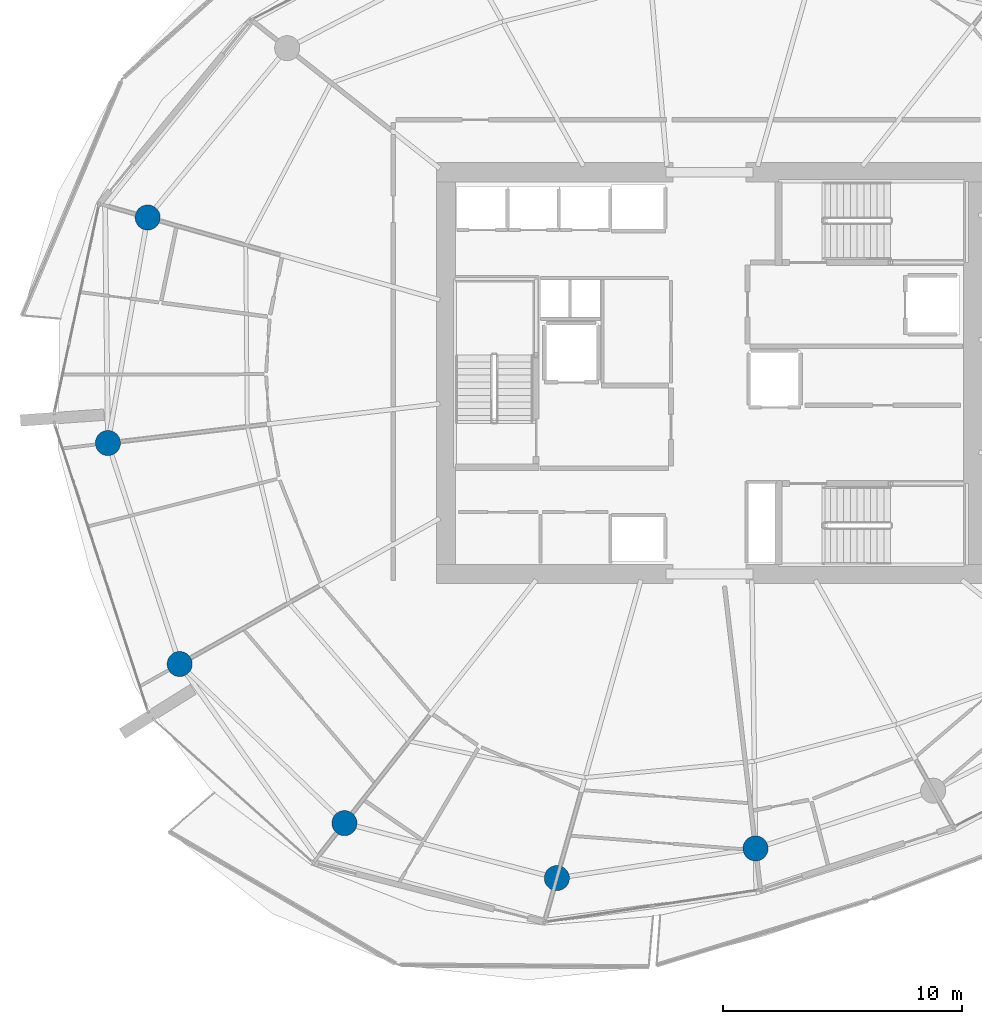
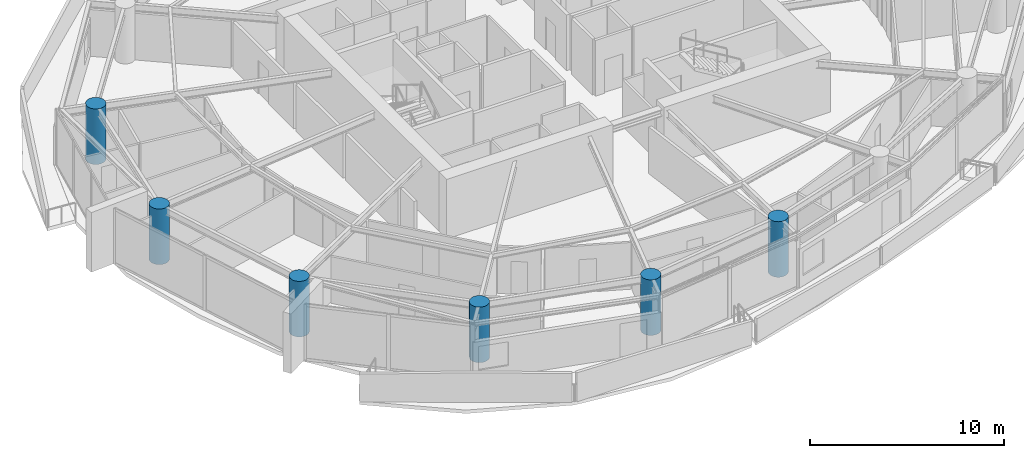
# One storey, part 1 of 20: 6 columns.
"""IFC4 building model written with IfcOpenShell, lengths in metres."""

from ifc_helpers import new_model, si_unit, direction, frame, origin, origin_2d, place, context, subcontext, project, spatial, circle, extrude, material, material_profile, profile_set, type_object, element, save


model = new_model("IFC4")

# Units and contexts
model_context = context("Model", 3, precision=1e-05, world=origin(), true_north=direction((0.0, 1.0)))
body_context = subcontext(model_context, "Body", "Model", "MODEL_VIEW")
ifc_project = project(units=[si_unit("LENGTHUNIT", "METRE"), si_unit("AREAUNIT", "SQUARE_METRE"), si_unit("VOLUMEUNIT", "CUBIC_METRE"), si_unit("PLANEANGLEUNIT", "RADIAN"), si_unit("MASSUNIT", "GRAM", prefix="KILO")], contexts=[model_context])

# Site, building, storey
site_placement = place(None, origin())
site = spatial("IfcSite", under=ifc_project, at=site_placement, CompositionType="ELEMENT")
building_placement = place(site_placement, origin())
building = spatial("IfcBuilding", under=site, at=building_placement, Name="Kazma Halo Residences", CompositionType="ELEMENT")
storey_placement = place(building_placement, frame((0.0, 0.0, 150.300048828125)))
storey = spatial("IfcBuildingStorey", under=building, at=storey_placement, Name="L37", CompositionType="ELEMENT", Elevation=150.300048828125)

# Columns
ifc_material = material(Name="Concrete C80/95", Category="concrete")
ifc_material_profile = material_profile(ifc_material, circle(Radius=0.52490234375, at=origin_2d()), Name="CIRC1050")
ifc_profile_set = profile_set([ifc_material_profile], Name="Concrete C80/95")
column_type = type_object("IfcColumnType", Name="COL-PERIM-1050", PredefinedType="COLUMN", material=ifc_profile_set)
for number, where, z_axis, x_axis, name in (
    (1, (24.93017578125, 48.50634765625, 0.0), (0.0, 0.0, 1.0), (1.0, 0.0, 0.0), "L37 perimeter ring column P07"),
    (2, (23.266845703125, 39.072509765625, 0.0), (0.0, 0.0, 1.0), (1.0, 0.0, 0.0), "L37 perimeter ring column P08"),
    (3, (26.269775390625, 29.83056640625, 0.0), (0.0, 0.0, 1.0), (1.0, 0.0, 0.0), "L37 perimeter ring column P09"),
    (4, (33.160400390625, 23.17626953125, 0.0), (0.0, 0.0, 1.0), (1.0, 0.0, 0.0), "L37 perimeter ring column P10"),
    (5, (42.04296875, 20.878173828125, 0.0), (0.0, 0.0, 1.0), (1.0, 0.0, 0.0), "L37 perimeter ring column P11"),
    (6, (50.35302734375, 22.118896484375, 0.0), (0.0, 0.0, 1.0), (1.0, 0.0, 0.0), "L37 perimeter ring column P12"),
):
    element("IfcColumn", number, at=place(storey_placement, frame(where, z_axis=z_axis, x_axis=x_axis)), inside=storey, type_object=column_type, Name=name, PredefinedType="COLUMN", context=body_context, shape_type="SweptSolid", body=[
        extrude(circle(Radius=0.52490234375, at=origin_2d()), origin(), (0.0, 0.0, 1.0), 3.5),
    ])

save(model, "model.ifc")
